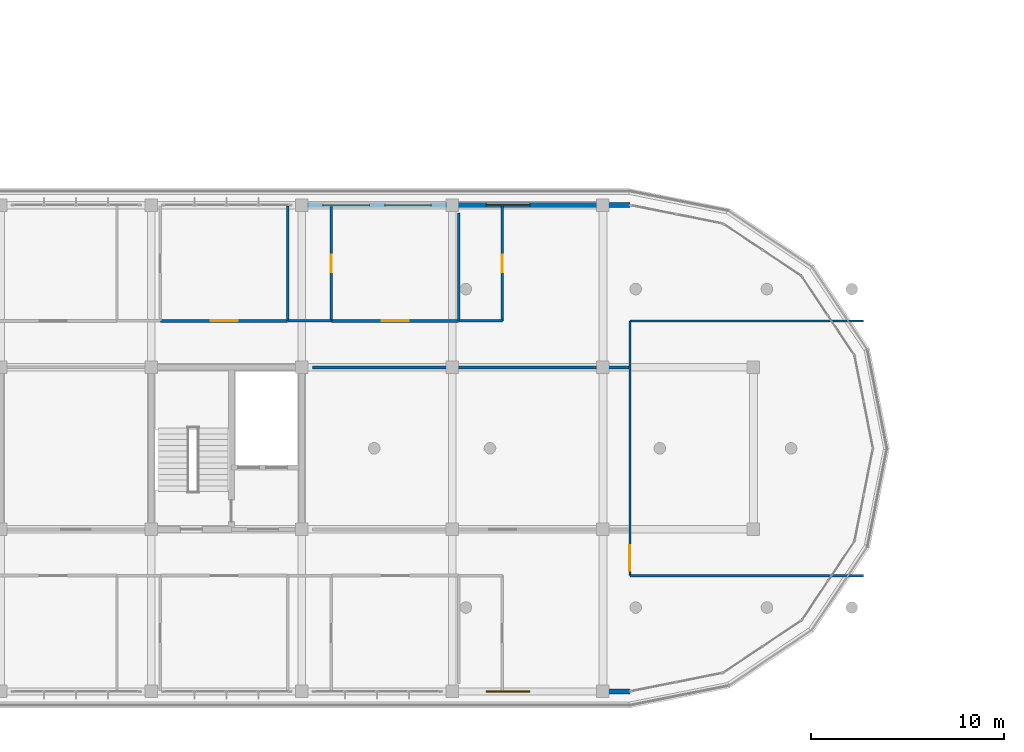
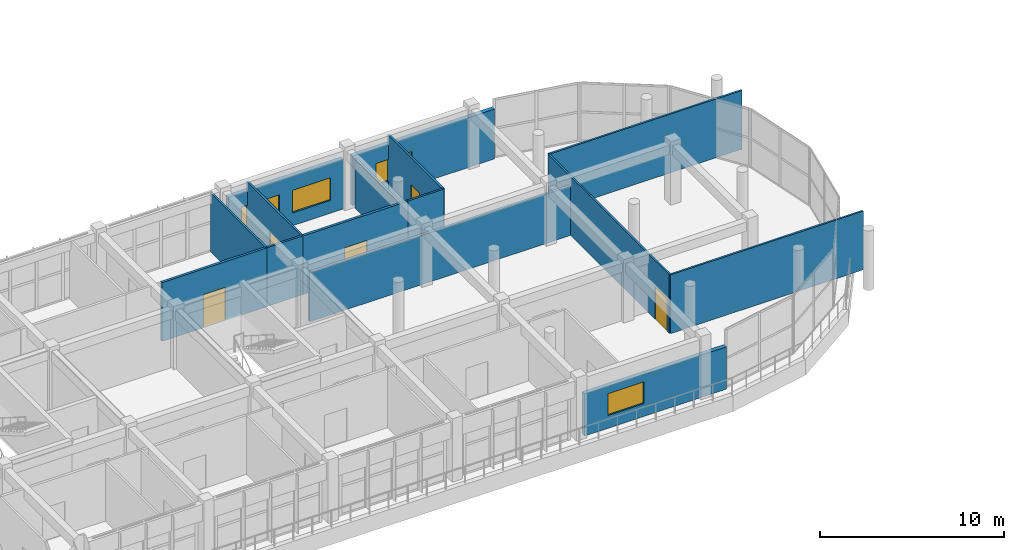
# One storey, part 51 of 57: 15 walls, 5 doors, 4 windows, 9 openings.
"""IFC4 building model written with IfcOpenShell, lengths in metres."""

from ifc_helpers import new_model, si_unit, direction, frame, frame_2d, origin, place, context, subcontext, project, spatial, rectangle, extrude, material, layer, layer_set, type_object, element, fill, save


model = new_model("IFC4")

# Units and contexts
model_context = context("Model", 3, precision=1e-05, world=origin(), true_north=direction((0.0, 1.0)))
body_context = subcontext(model_context, "Body", "Model", "MODEL_VIEW")
ifc_project = project(units=[si_unit("LENGTHUNIT", "METRE"), si_unit("AREAUNIT", "SQUARE_METRE"), si_unit("VOLUMEUNIT", "CUBIC_METRE"), si_unit("PLANEANGLEUNIT", "RADIAN"), si_unit("MASSUNIT", "GRAM", prefix="KILO")], contexts=[model_context])

# Site, building, storey
site_placement = place(None, origin())
site = spatial("IfcSite", under=ifc_project, at=site_placement, CompositionType="ELEMENT")
building_placement = place(site_placement, origin())
building = spatial("IfcBuilding", under=site, at=building_placement, Name="Zizhar Promenade General Hospital", CompositionType="ELEMENT")
storey_placement = place(building_placement, frame((0.0, 0.0, 22.199951171875)))
storey = spatial("IfcBuildingStorey", under=building, at=storey_placement, Name="L05", CompositionType="ELEMENT", Elevation=22.199951171875)

# Wall, openings, windows
ifc_material_1 = material(Name="Precast concrete C40/50", Category="concrete")
ifc_layer_1 = layer(ifc_material_1, 0.260009765625)
ifc_layer_set_1 = layer_set([ifc_layer_1], Name="Precast concrete C40/50")
wall_type_1 = type_object("IfcWallType", Name="EW-PC-260", PredefinedType="STANDARD", material=ifc_layer_set_1)
wall_1_placement = place(storey_placement, frame((101.68994140625, 25.199951171875, 0.0), z_axis=(0.0, 0.0, 1.0), x_axis=(1.0, 0.0, 0.0)))
wall_1 = element("IfcWall", 1, at=wall_1_placement, inside=storey, type_object=wall_type_1, Name="Ward Precast Ribbon Pier L05-8-9", PredefinedType="STANDARD", context=body_context, shape_type="SweptSolid", body=[
    extrude(rectangle(XDim=7.219970703125, YDim=0.260009765625, at=frame_2d((3.60986328125, 0.0))), origin(), (0.0, 0.0, 1.0), 3.304931640625),
])
opening_1_placement = place(wall_1_placement, frame((0.806640625, 0.0, 0.85009765625)))
opening_1 = element("IfcOpeningElement", 2, at=opening_1_placement, cuts=wall_1, Name="Opening W-01", PredefinedType="OPENING", context=body_context, shape_type="SweptSolid", body=[
    extrude(rectangle(XDim=2.39990234375, YDim=1.5, at=frame_2d((1.199951171875, 0.75))), frame((0.0, 0.14013671875, 0.0), z_axis=(0.0, -1.0, 0.0), x_axis=(1.0, 0.0, 0.0)), (0.0, 0.0, 1.0), 0.280029296875),
])
opening_2_placement = place(wall_1_placement, frame((4.01318359375, 0.0, 0.85009765625)))
opening_2 = element("IfcOpeningElement", 3, at=opening_2_placement, cuts=wall_1, Name="Opening W-01", PredefinedType="OPENING", context=body_context, shape_type="SweptSolid", body=[
    extrude(rectangle(XDim=2.39990234375, YDim=1.5, at=frame_2d((1.199951171875, 0.75))), frame((0.0, 0.14013671875, 0.0), z_axis=(0.0, -1.0, 0.0), x_axis=(1.0, 0.0, 0.0)), (0.0, 0.0, 1.0), 0.280029296875),
])
ifc_material_2 = material(Name="Anodised aluminium 6063-T6 and low-E glass", Category="aluminium")
window_type_1 = type_object("IfcWindowType", Name="WIN-WARD-240x150", PartitioningType="DOUBLE_PANEL_VERTICAL", PredefinedType="WINDOW", material=ifc_material_2)
window_1_placement = place(opening_1_placement, origin())
window_1 = element("IfcWindow", 4, at=window_1_placement, inside=storey, type_object=window_type_1, Name="Ward Precast Ribbon Pier L05-8-9 Window 1", OverallHeight=1.5, OverallWidth=2.39990234375, PartitioningType="SINGLE_PANEL", PredefinedType="WINDOW", context=body_context, shape_type="SweptSolid", body=[
    extrude(rectangle(XDim=2.39990234375, YDim=1.5, at=frame_2d((1.199951171875, 0.75))), frame((0.0, 0.030029296875, 0.0), z_axis=(0.0, -1.0, 0.0), x_axis=(1.0, 0.0, 0.0)), (0.0, 0.0, 1.0), 0.06005859375),
])
fill(opening_1, window_1)
window_2_placement = place(opening_2_placement, origin())
window_2 = element("IfcWindow", 5, at=window_2_placement, inside=storey, type_object=window_type_1, Name="Ward Precast Ribbon Pier L05-8-9 Window 2", OverallHeight=1.5, OverallWidth=2.39990234375, PartitioningType="SINGLE_PANEL", PredefinedType="WINDOW", context=body_context, shape_type="SweptSolid", body=[
    extrude(rectangle(XDim=2.39990234375, YDim=1.5, at=frame_2d((1.199951171875, 0.75))), frame((0.0, 0.030029296875, 0.0), z_axis=(0.0, -1.0, 0.0), x_axis=(1.0, 0.0, 0.0)), (0.0, 0.0, 1.0), 0.06005859375),
])
fill(opening_2, window_2)

# Wall, opening, window
wall_2_placement = place(storey_placement, frame((109.489990234375, 25.199951171875, 0.0), z_axis=(0.0, 0.0, 1.0), x_axis=(1.0, 0.0, 0.0)))
wall_2 = element("IfcWall", 6, at=wall_2_placement, inside=storey, type_object=wall_type_1, Name="Ward Precast Ribbon Pier L05-8-10", PredefinedType="STANDARD", context=body_context, shape_type="SweptSolid", body=[
    extrude(rectangle(XDim=8.909912109375, YDim=0.260009765625, at=frame_2d((4.455078125, 0.0))), origin(), (0.0, 0.0, 1.0), 3.304931640625),
])
opening_3_placement = place(wall_2_placement, frame((1.469970703125, 0.0, 0.85009765625)))
opening_3 = element("IfcOpeningElement", 7, at=opening_3_placement, cuts=wall_2, Name="Opening W-28", PredefinedType="OPENING", context=body_context, shape_type="SweptSolid", body=[
    extrude(rectangle(XDim=2.25, YDim=1.449951171875, at=frame_2d((1.125, 0.72509765625))), frame((0.0, 0.14013671875, 0.0), z_axis=(0.0, -1.0, 0.0), x_axis=(1.0, 0.0, 0.0)), (0.0, 0.0, 1.0), 0.280029296875),
])
ifc_material_3 = material(Name="Anodised aluminium 6063-T6 and low-E glass", Category="aluminium")
window_type_2 = type_object("IfcWindowType", Name="WIN-WARD-225x145", PartitioningType="DOUBLE_PANEL_VERTICAL", PredefinedType="WINDOW", material=ifc_material_3)
window_3_placement = place(opening_3_placement, origin())
window_3 = element("IfcWindow", 8, at=window_3_placement, inside=storey, type_object=window_type_2, Name="Ward Precast Ribbon Pier L05-8-10 Window 1", OverallHeight=1.449951171875, OverallWidth=2.25, PartitioningType="SINGLE_PANEL", PredefinedType="WINDOW", context=body_context, shape_type="SweptSolid", body=[
    extrude(rectangle(XDim=2.25, YDim=1.449951171875, at=frame_2d((1.125, 0.72509765625))), frame((0.0, 0.030029296875, 0.0), z_axis=(0.0, -1.0, 0.0), x_axis=(1.0, 0.0, 0.0)), (0.0, 0.0, 1.0), 0.06005859375),
])
fill(opening_3, window_3)

wall_3_placement = place(storey_placement, frame((118.39990234375, 0.0, 0.0), z_axis=(0.0, 0.0, 1.0), x_axis=(-1.0, 0.0, 0.0)))
wall_3 = element("IfcWall", 9, at=wall_3_placement, inside=storey, type_object=wall_type_1, Name="Ward Precast Ribbon Pier L05-17-0", PredefinedType="STANDARD", context=body_context, shape_type="SweptSolid", body=[
    extrude(rectangle(XDim=8.909912109375, YDim=0.260009765625, at=frame_2d((4.455078125, 0.0))), origin(), (0.0, 0.0, 1.0), 2.804931640625),
])
opening_4_placement = place(wall_3_placement, frame((5.18994140625, 0.0, 0.85009765625)))
opening_4 = element("IfcOpeningElement", 10, at=opening_4_placement, cuts=wall_3, Name="Opening W-28", PredefinedType="OPENING", context=body_context, shape_type="SweptSolid", body=[
    extrude(rectangle(XDim=2.25, YDim=1.449951171875, at=frame_2d((1.125, 0.72509765625))), frame((0.0, 0.14013671875, 0.0), z_axis=(0.0, -1.0, 0.0), x_axis=(1.0, 0.0, 0.0)), (0.0, 0.0, 1.0), 0.280029296875),
])
window_4_placement = place(opening_4_placement, origin())
window_4 = element("IfcWindow", 11, at=window_4_placement, inside=storey, type_object=window_type_2, Name="Ward Precast Ribbon Pier L05-17-0 Window 2", OverallHeight=1.449951171875, OverallWidth=2.25, PartitioningType="SINGLE_PANEL", PredefinedType="WINDOW", context=body_context, shape_type="SweptSolid", body=[
    extrude(rectangle(XDim=2.25, YDim=1.449951171875, at=frame_2d((1.125, 0.72509765625))), frame((0.0, 0.030029296875, 0.0), z_axis=(0.0, -1.0, 0.0), x_axis=(1.0, 0.0, 0.0)), (0.0, 0.0, 1.0), 0.06005859375),
])
fill(opening_4, window_4)

# Walls
ifc_material_4 = material(Name="Clean utility gypsum partition")
ifc_layer_2 = layer(ifc_material_4, 0.114990234375)
ifc_layer_set_2 = layer_set([ifc_layer_2], Name="Clean utility gypsum partition")
wall_type_2 = type_object("IfcWallType", Name="IW-STR-115", PredefinedType="PARTITIONING", material=ifc_layer_set_2)
for number, where, z_axis, x_axis, name in (
    (12, (118.39990234375, 6.0, 0.0), (0.0, 0.0, 1.0), (1.0, 0.0, 0.0), "East Patient Recovery Solarium L05 S Partition"),
    (13, (118.39990234375, 19.199951171875, 0.0), (0.0, 0.0, 1.0), (1.0, 0.0, 0.0), "East Patient Recovery Solarium L05 N Partition"),
):
    element("IfcWall", number, at=place(storey_placement, frame(where, z_axis=z_axis, x_axis=x_axis)), inside=storey, type_object=wall_type_2, Name=name, PredefinedType="PARTITIONING", context=body_context, shape_type="SweptSolid", body=[
        extrude(rectangle(XDim=12.10009765625, YDim=0.114990234375, at=frame_2d((6.050048828125, 0.0))), origin(), (0.0, 0.0, 1.0), 3.900146484375),
    ])

# Wall, opening, door
wall_4_placement = place(storey_placement, frame((118.39990234375, 6.0, 0.0), z_axis=(0.0, 0.0, 1.0), x_axis=(0.0, 1.0, 0.0)))
wall_4 = element("IfcWall", 14, at=wall_4_placement, inside=storey, type_object=wall_type_2, Name="East Patient Recovery Solarium L05 W Partition", PredefinedType="PARTITIONING", context=body_context, shape_type="SweptSolid", body=[
    extrude(rectangle(XDim=13.199951171875, YDim=0.114990234375, at=frame_2d((6.60009765625, 0.0))), origin(), (0.0, 0.0, 1.0), 3.900146484375),
])
opening_5_placement = place(wall_4_placement, frame((0.25, 0.0, 0.0)))
opening_5 = element("IfcOpeningElement", 15, at=opening_5_placement, cuts=wall_4, Name="Opening D-26", PredefinedType="OPENING", context=body_context, shape_type="SweptSolid", body=[
    extrude(rectangle(XDim=1.320068359375, YDim=2.14990234375, at=frame_2d((0.66015625, 1.074951171875))), frame((0.0, 0.0673828125, 0.0), z_axis=(0.0, -1.0, 0.0), x_axis=(1.0, 0.0, 0.0)), (0.0, 0.0, 1.0), 0.135009765625),
])
ifc_material_5 = material(Name="Fire-rated timber store leaf", Category="wood")
door_type_1 = type_object("IfcDoorType", Name="DR-STORE-132x215", OperationType="NOTDEFINED", PredefinedType="DOOR", material=ifc_material_5)
door_1_placement = place(opening_5_placement, origin())
door_1 = element("IfcDoor", 16, at=door_1_placement, inside=storey, type_object=door_type_1, Name="East Patient Recovery Solarium L05 Door", OperationType="SINGLE_SWING_LEFT", OverallHeight=2.14990234375, OverallWidth=1.320068359375, PredefinedType="DOOR", context=body_context, shape_type="SweptSolid", body=[
    extrude(rectangle(XDim=1.320068359375, YDim=2.14990234375, at=frame_2d((0.66015625, 1.074951171875))), frame((0.0, 0.02490234375, 0.0), z_axis=(0.0, -1.0, 0.0), x_axis=(1.0, 0.0, 0.0)), (0.0, 0.0, 1.0), 0.050048828125),
])
fill(opening_5, door_1)

ifc_material_6 = material(Name="Acoustic patient bedroom partition")
ifc_layer_3 = layer(ifc_material_6, 0.155029296875)
ifc_layer_set_3 = layer_set([ifc_layer_3], Name="Acoustic patient bedroom partition")
wall_type_3 = type_object("IfcWallType", Name="IW-WARD-155", PredefinedType="PARTITIONING", material=ifc_layer_set_3)
wall_5_placement = place(storey_placement, frame((94.080078125, 19.199951171875, 0.0), z_axis=(0.0, 0.0, 1.0), x_axis=(1.0, 0.0, 0.0)))
wall_5 = element("IfcWall", 17, at=wall_5_placement, inside=storey, type_object=wall_type_3, Name="Vascular Inpatient Ward L05-N08 S Partition", PredefinedType="PARTITIONING", context=body_context, shape_type="SweptSolid", body=[
    extrude(rectangle(XDim=6.58984375, YDim=0.155029296875, at=frame_2d((3.294921875, 0.0))), origin(), (0.0, 0.0, 1.0), 3.900146484375),
])
opening_6_placement = place(wall_5_placement, frame((2.594970703125, 0.0, 0.0)))
opening_6 = element("IfcOpeningElement", 18, at=opening_6_placement, cuts=wall_5, Name="Opening D-06", PredefinedType="OPENING", context=body_context, shape_type="SweptSolid", body=[
    extrude(rectangle(XDim=1.39990234375, YDim=2.199951171875, at=frame_2d((0.699951171875, 1.10009765625))), frame((0.0, 0.08740234375, 0.0), z_axis=(0.0, -1.0, 0.0), x_axis=(1.0, 0.0, 0.0)), (0.0, 0.0, 1.0), 0.175048828125),
])
ifc_material_7 = material(Name="Fire-rated timber hospital bed leaf", Category="wood")
door_type_2 = type_object("IfcDoorType", Name="DR-BED-WARD-140x220", OperationType="NOTDEFINED", PredefinedType="DOOR", material=ifc_material_7)
door_2_placement = place(opening_6_placement, origin())
door_2 = element("IfcDoor", 19, at=door_2_placement, inside=storey, type_object=door_type_2, Name="Vascular Inpatient Ward L05-N08 Door", OperationType="SINGLE_SWING_LEFT", OverallHeight=2.199951171875, OverallWidth=1.39990234375, PredefinedType="DOOR", context=body_context, shape_type="SweptSolid", body=[
    extrude(rectangle(XDim=1.39990234375, YDim=2.199951171875, at=frame_2d((0.699951171875, 1.10009765625))), frame((0.0, 0.02490234375, 0.0), z_axis=(0.0, -1.0, 0.0), x_axis=(1.0, 0.0, 0.0)), (0.0, 0.0, 1.0), 0.050048828125),
])
fill(opening_6, door_2)

wall_6_placement = place(storey_placement, frame((102.93994140625, 19.199951171875, 0.0), z_axis=(0.0, 0.0, 1.0), x_axis=(1.0, 0.0, 0.0)))
wall_6 = element("IfcWall", 20, at=wall_6_placement, inside=storey, type_object=wall_type_3, Name="Cardiology Inpatient Ward L05-N09 S Partition", PredefinedType="PARTITIONING", context=body_context, shape_type="SweptSolid", body=[
    extrude(rectangle(XDim=6.590087890625, YDim=0.155029296875, at=frame_2d((3.294921875, 0.0))), origin(), (0.0, 0.0, 1.0), 3.900146484375),
])
opening_7_placement = place(wall_6_placement, frame((2.594970703125, 0.0, 0.0)))
opening_7 = element("IfcOpeningElement", 21, at=opening_7_placement, cuts=wall_6, Name="Opening D-06", PredefinedType="OPENING", context=body_context, shape_type="SweptSolid", body=[
    extrude(rectangle(XDim=1.39990234375, YDim=2.199951171875, at=frame_2d((0.699951171875, 1.10009765625))), frame((0.0, 0.08740234375, 0.0), z_axis=(0.0, -1.0, 0.0), x_axis=(1.0, 0.0, 0.0)), (0.0, 0.0, 1.0), 0.175048828125),
])
door_3_placement = place(opening_7_placement, origin())
door_3 = element("IfcDoor", 22, at=door_3_placement, inside=storey, type_object=door_type_2, Name="Cardiology Inpatient Ward L05-N09 Door", OperationType="SINGLE_SWING_LEFT", OverallHeight=2.199951171875, OverallWidth=1.39990234375, PredefinedType="DOOR", context=body_context, shape_type="SweptSolid", body=[
    extrude(rectangle(XDim=1.39990234375, YDim=2.199951171875, at=frame_2d((0.699951171875, 1.10009765625))), frame((0.0, 0.02490234375, 0.0), z_axis=(0.0, -1.0, 0.0), x_axis=(1.0, 0.0, 0.0)), (0.0, 0.0, 1.0), 0.050048828125),
])
fill(opening_7, door_3)

# Walls
wall_7_placement = place(storey_placement, frame((101.9599609375, 16.800048828125, 0.0), z_axis=(0.0, 0.0, 1.0), x_axis=(1.0, 0.0, 0.0)))
element("IfcWall", 23, at=wall_7_placement, inside=storey, type_object=wall_type_3, Name="Ward Doctor Consultation Office L05 N Partition", PredefinedType="PARTITIONING", context=body_context, shape_type="SweptSolid", body=[
    extrude(rectangle(XDim=16.429931640625, YDim=0.155029296875, at=frame_2d((8.21484375, 0.0))), origin(), (0.0, 0.0, 1.0), 3.27001953125),
])
ifc_material_8 = material(Name="Moisture-resistant en-suite wet partition")
ifc_layer_4 = layer(ifc_material_8, 0.125)
ifc_layer_set_4 = layer_set([ifc_layer_4], Name="Moisture-resistant en-suite wet partition")
wall_type_4 = type_object("IfcWallType", Name="IW-WET-125", PredefinedType="PARTITIONING", material=ifc_layer_set_4)
wall_8_placement = place(storey_placement, frame((100.679931640625, 19.199951171875, 0.0), z_axis=(0.0, 0.0, 1.0), x_axis=(1.0, 0.0, 0.0)))
element("IfcWall", 24, at=wall_8_placement, inside=storey, type_object=wall_type_4, Name="En-Suite Patient Bathroom L05-N09 S Partition", PredefinedType="PARTITIONING", context=body_context, shape_type="SweptSolid", body=[
    extrude(rectangle(XDim=2.25, YDim=0.125, at=frame_2d((1.125, 0.0))), origin(), (0.0, 0.0, 1.0), 3.900146484375),
])
wall_9_placement = place(storey_placement, frame((100.679931640625, 19.199951171875, 0.0), z_axis=(0.0, 0.0, 1.0), x_axis=(0.0, 1.0, 0.0)))
element("IfcWall", 25, at=wall_9_placement, inside=storey, type_object=wall_type_4, Name="En-Suite Patient Bathroom L05-N09 W Partition", PredefinedType="PARTITIONING", context=body_context, shape_type="SweptSolid", body=[
    extrude(rectangle(XDim=5.955078125, YDim=0.125, at=frame_2d((2.9775390625, 0.0))), origin(), (0.0, 0.0, 1.0), 3.900146484375),
])

# Wall, opening, door
wall_10_placement = place(storey_placement, frame((102.929931640625, 19.199951171875, 0.0), z_axis=(0.0, 0.0, 1.0), x_axis=(0.0, 1.0, 0.0)))
wall_10 = element("IfcWall", 26, at=wall_10_placement, inside=storey, type_object=wall_type_4, Name="En-Suite Patient Bathroom L05-N09 E Partition", PredefinedType="PARTITIONING", context=body_context, shape_type="SweptSolid", body=[
    extrude(rectangle(XDim=5.955078125, YDim=0.125, at=frame_2d((2.9775390625, 0.0))), origin(), (0.0, 0.0, 1.0), 3.900146484375),
])
opening_8_placement = place(wall_10_placement, frame((2.517578125, 0.0, 0.0)))
opening_8 = element("IfcOpeningElement", 27, at=opening_8_placement, cuts=wall_10, Name="Opening D-18", PredefinedType="OPENING", context=body_context, shape_type="SweptSolid", body=[
    extrude(rectangle(XDim=0.919921875, YDim=2.10009765625, at=frame_2d((0.4599609375, 1.050048828125))), frame((0.0, 0.072509765625, 0.0), z_axis=(0.0, -1.0, 0.0), x_axis=(1.0, 0.0, 0.0)), (0.0, 0.0, 1.0), 0.14501953125),
])
ifc_material_9 = material(Name="Moisture-resistant timber en-suite leaf", Category="wood")
door_type_3 = type_object("IfcDoorType", Name="DR-ENS-STD-092x210", OperationType="NOTDEFINED", PredefinedType="DOOR", material=ifc_material_9)
door_4_placement = place(opening_8_placement, origin())
door_4 = element("IfcDoor", 28, at=door_4_placement, inside=storey, type_object=door_type_3, Name="En-Suite Patient Bathroom L05-N09 Door", OperationType="SINGLE_SWING_LEFT", OverallHeight=2.10009765625, OverallWidth=0.919921875, PredefinedType="DOOR", context=body_context, shape_type="SweptSolid", body=[
    extrude(rectangle(XDim=0.919921875, YDim=2.10009765625, at=frame_2d((0.4599609375, 1.050048828125))), frame((0.0, 0.02490234375, 0.0), z_axis=(0.0, -1.0, 0.0), x_axis=(1.0, 0.0, 0.0)), (0.0, 0.0, 1.0), 0.050048828125),
])
fill(opening_8, door_4)

# Walls
wall_11_placement = place(storey_placement, frame((109.5400390625, 19.199951171875, 0.0), z_axis=(0.0, 0.0, 1.0), x_axis=(1.0, 0.0, 0.0)))
element("IfcWall", 29, at=wall_11_placement, inside=storey, type_object=wall_type_4, Name="En-Suite Patient Bathroom L05-N10 S Partition", PredefinedType="PARTITIONING", context=body_context, shape_type="SweptSolid", body=[
    extrude(rectangle(XDim=2.25, YDim=0.125, at=frame_2d((1.125, 0.0))), origin(), (0.0, 0.0, 1.0), 3.900146484375),
])
wall_12_placement = place(storey_placement, frame((109.5400390625, 19.199951171875, 0.0), z_axis=(0.0, 0.0, 1.0), x_axis=(0.0, 1.0, 0.0)))
element("IfcWall", 30, at=wall_12_placement, inside=storey, type_object=wall_type_4, Name="En-Suite Patient Bathroom L05-N10 W Partition", PredefinedType="PARTITIONING", context=body_context, shape_type="SweptSolid", body=[
    extrude(rectangle(XDim=5.594970703125, YDim=0.125, at=frame_2d((2.79736328125, 0.0))), origin(), (0.0, 0.0, 1.0), 3.27001953125),
])

# Wall, opening, door
wall_13_placement = place(storey_placement, frame((111.7900390625, 19.199951171875, 0.0), z_axis=(0.0, 0.0, 1.0), x_axis=(0.0, 1.0, 0.0)))
wall_13 = element("IfcWall", 31, at=wall_13_placement, inside=storey, type_object=wall_type_4, Name="En-Suite Patient Bathroom L05-N10 E Partition", PredefinedType="PARTITIONING", context=body_context, shape_type="SweptSolid", body=[
    extrude(rectangle(XDim=5.955078125, YDim=0.125, at=frame_2d((2.9775390625, 0.0))), origin(), (0.0, 0.0, 1.0), 3.900146484375),
])
opening_9_placement = place(wall_13_placement, frame((2.517578125, 0.0, 0.0)))
opening_9 = element("IfcOpeningElement", 32, at=opening_9_placement, cuts=wall_13, Name="Opening D-18", PredefinedType="OPENING", context=body_context, shape_type="SweptSolid", body=[
    extrude(rectangle(XDim=0.919921875, YDim=2.10009765625, at=frame_2d((0.4599609375, 1.050048828125))), frame((0.0, 0.072509765625, 0.0), z_axis=(0.0, -1.0, 0.0), x_axis=(1.0, 0.0, 0.0)), (0.0, 0.0, 1.0), 0.14501953125),
])
door_5_placement = place(opening_9_placement, origin())
door_5 = element("IfcDoor", 33, at=door_5_placement, inside=storey, type_object=door_type_3, Name="En-Suite Patient Bathroom L05-N10 Door", OperationType="SINGLE_SWING_LEFT", OverallHeight=2.10009765625, OverallWidth=0.919921875, PredefinedType="DOOR", context=body_context, shape_type="SweptSolid", body=[
    extrude(rectangle(XDim=0.919921875, YDim=2.10009765625, at=frame_2d((0.4599609375, 1.050048828125))), frame((0.0, 0.02490234375, 0.0), z_axis=(0.0, -1.0, 0.0), x_axis=(1.0, 0.0, 0.0)), (0.0, 0.0, 1.0), 0.050048828125),
])
fill(opening_9, door_5)

save(model, "model.ifc")
